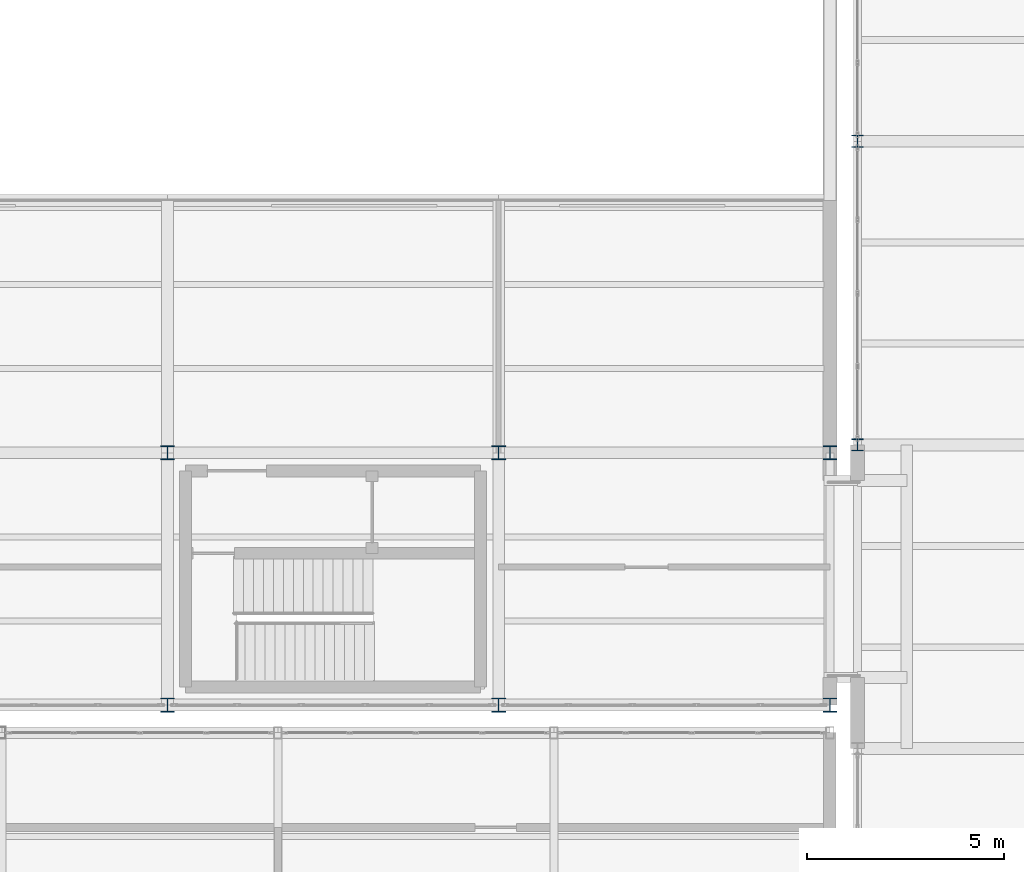
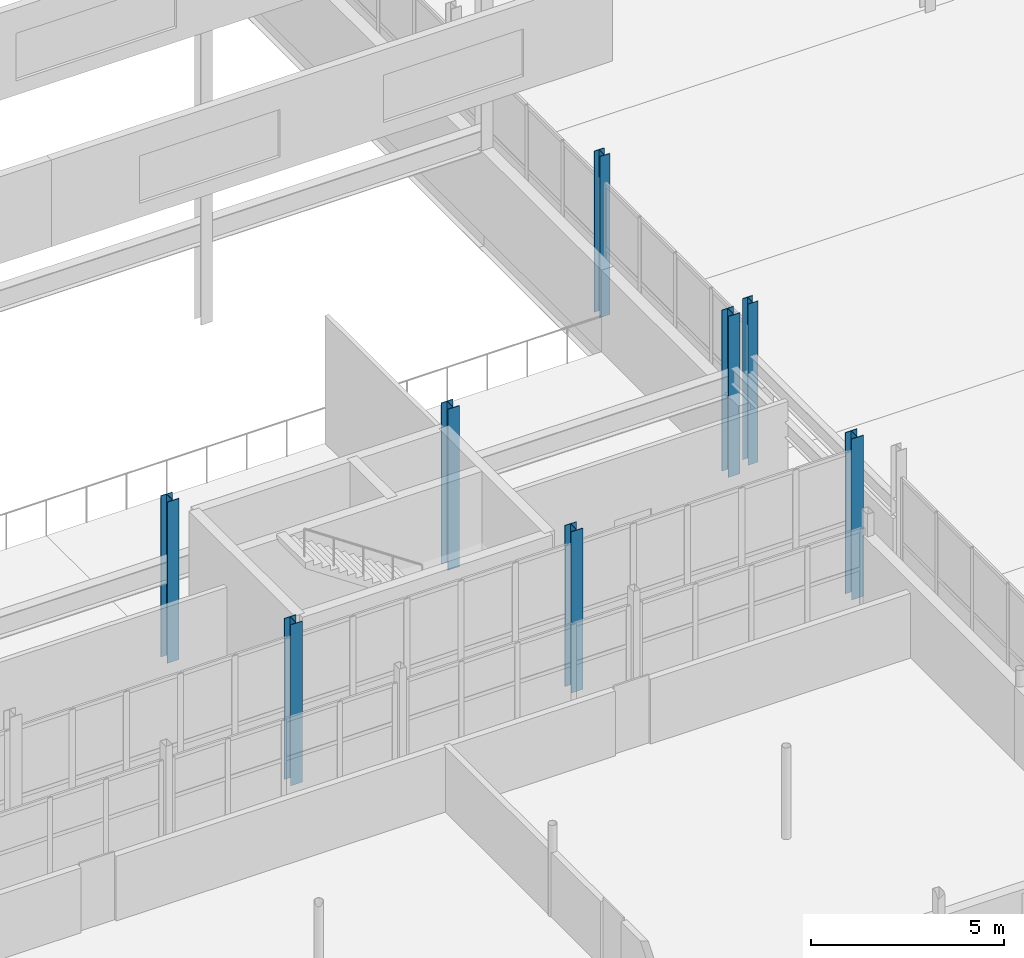
# One storey, part 18 of 218: 8 columns.
"""IFC4 building model written with IfcOpenShell, lengths in metres."""

from ifc_helpers import new_model, si_unit, direction, frame, origin, origin_2d, place, context, subcontext, project, spatial, i_section, extrude, material, material_profile, profile_set, type_object, element, save


model = new_model("IFC4")

# Units and contexts
model_context = context("Model", 3, precision=1e-05, world=origin(), true_north=direction((0.0, 1.0)))
body_context = subcontext(model_context, "Body", "Model", "MODEL_VIEW")
ifc_project = project(units=[si_unit("LENGTHUNIT", "METRE"), si_unit("AREAUNIT", "SQUARE_METRE"), si_unit("VOLUMEUNIT", "CUBIC_METRE"), si_unit("PLANEANGLEUNIT", "RADIAN"), si_unit("MASSUNIT", "GRAM", prefix="KILO")], contexts=[model_context])

# Site, building, storey
site_placement = place(None, origin())
site = spatial("IfcSite", under=ifc_project, at=site_placement, CompositionType="ELEMENT")
building_placement = place(site_placement, origin())
building = spatial("IfcBuilding", under=site, at=building_placement, Name="Kazenagashi Tramway Depot", CompositionType="ELEMENT")
storey_placement = place(building_placement, frame((0.0, 0.0, 6.0)))
storey = spatial("IfcBuildingStorey", under=building, at=storey_placement, Name="L02", CompositionType="ELEMENT", Elevation=6.0)

# Columns
ifc_material = material(Name="Steel SN490B", Category="steel")
ifc_material_profile_1 = material_profile(ifc_material, i_section(OverallWidth=0.35, OverallDepth=0.35, WebThickness=0.012, FlangeThickness=0.019, at=origin_2d()), Name="H-350x350x12x19")
ifc_profile_set_1 = profile_set([ifc_material_profile_1], Name="Steel SN490B")
column_type_1 = type_object("IfcColumnType", Name="C-04", PredefinedType="COLUMN", material=ifc_profile_set_1)
for number, where, z_axis, x_axis, name in (
    (1, (128.8, 16.5, 0.0), (0.0, 0.0, 1.0), (1.0, 0.0, 0.0), "Column C-04 COL-0315"),
    (2, (128.8, 22.9, 0.0), (0.0, 0.0, 1.0), (1.0, 0.0, 0.0), "Column C-04 COL-0319"),
    (3, (137.2, 16.5, 0.0), (0.0, 0.0, 1.0), (1.0, 0.0, 0.0), "Column C-04 COL-0332"),
    (4, (137.2, 22.9, 0.0), (0.0, 0.0, 1.0), (1.0, 0.0, 0.0), "Column C-04 COL-0336"),
    (5, (145.6, 16.5, 0.0), (0.0, 0.0, 1.0), (1.0, 0.0, 0.0), "Column C-04 COL-0349"),
    (6, (145.6, 22.9, 0.0), (0.0, 0.0, 1.0), (1.0, 0.0, 0.0), "Column C-04 COL-0353"),
):
    element("IfcColumn", number, at=place(storey_placement, frame(where, z_axis=z_axis, x_axis=x_axis)), inside=storey, type_object=column_type_1, Name=name, PredefinedType="COLUMN", context=body_context, shape_type="SweptSolid", body=[
        extrude(i_section(OverallWidth=0.35, OverallDepth=0.35, WebThickness=0.012, FlangeThickness=0.019, at=origin_2d()), origin(), (0.0, 0.0, 1.0), 5.1),
    ])
ifc_material_profile_2 = material_profile(ifc_material, i_section(OverallWidth=0.3, OverallDepth=0.3, WebThickness=0.01, FlangeThickness=0.015, at=origin_2d()), Name="H-300x300x10x15")
ifc_profile_set_2 = profile_set([ifc_material_profile_2], Name="Steel SN490B")
column_type_2 = type_object("IfcColumnType", Name="C-05", PredefinedType="COLUMN", material=ifc_profile_set_2)
for number, where, z_axis, x_axis, name in (
    (7, (146.3, 23.1, 0.0), (0.0, 0.0, 1.0), (1.0, 0.0, 0.0), "Column C-05 COL-0371"),
    (8, (146.3, 30.8, 0.0), (0.0, 0.0, 1.0), (1.0, 0.0, 0.0), "Column C-05 COL-0373"),
):
    element("IfcColumn", number, at=place(storey_placement, frame(where, z_axis=z_axis, x_axis=x_axis)), inside=storey, type_object=column_type_2, Name=name, PredefinedType="COLUMN", context=body_context, shape_type="SweptSolid", body=[
        extrude(i_section(OverallWidth=0.3, OverallDepth=0.3, WebThickness=0.01, FlangeThickness=0.015, at=origin_2d()), origin(), (0.0, 0.0, 1.0), 5.1),
    ])

save(model, "model.ifc")
